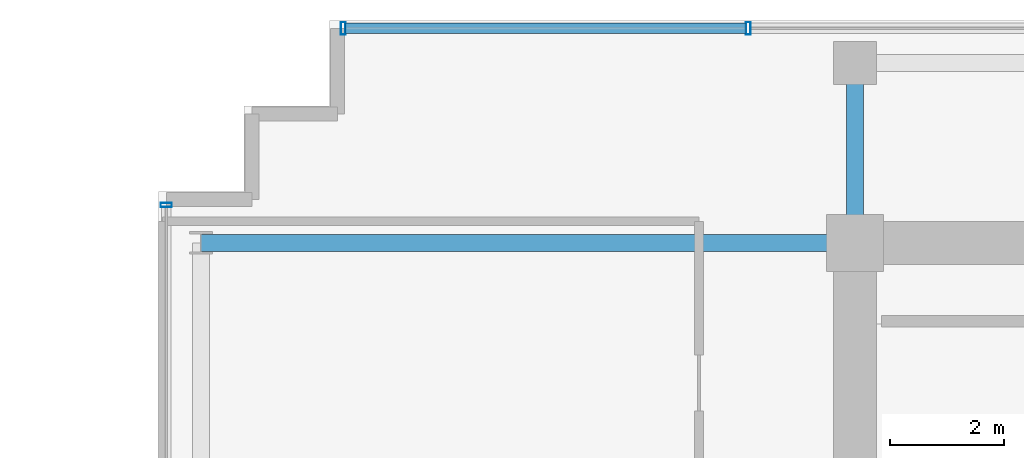
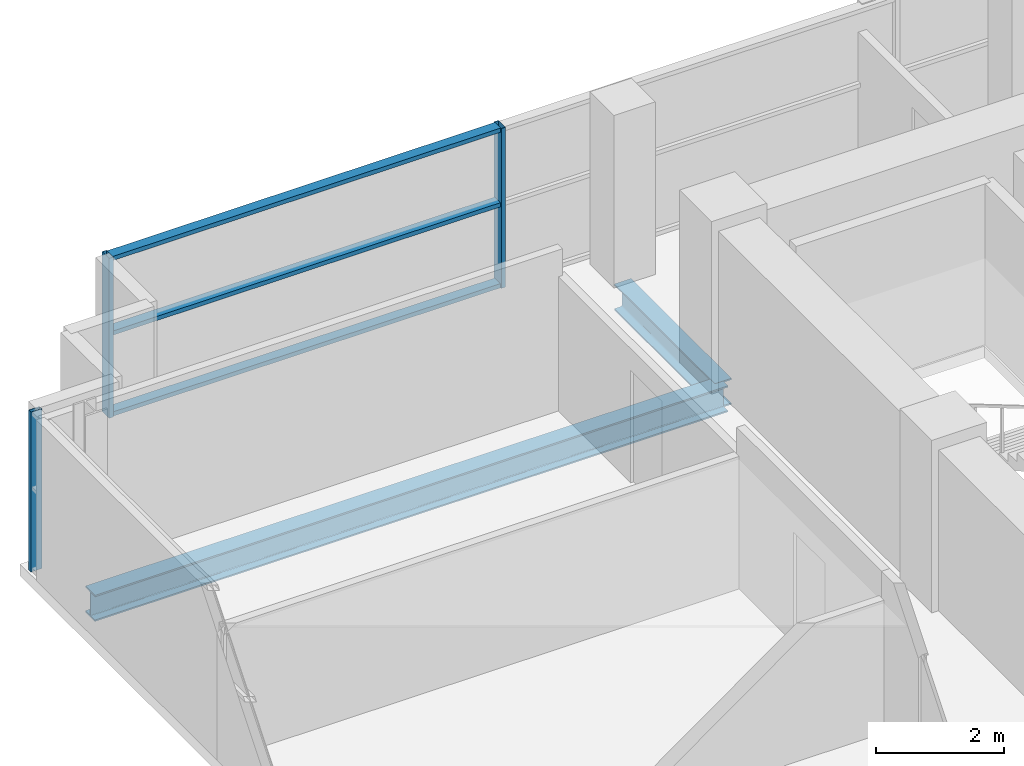
# One storey, part 9 of 21: 6 members, 2 beams, 2 elements without a shape of their own.
"""IFC4 building model written with IfcOpenShell, lengths in metres."""

from ifc_helpers import new_model, si_unit, direction, frame, origin, origin_2d, place, context, subcontext, project, spatial, hollow_rectangle, i_section, extrude, source, transform, mapped, material, layer, layer_set, material_profile, profile_set, type_object, element, aggregate, save


model = new_model("IFC4")

# Units and contexts
model_context = context("Model", 3, precision=1e-05, world=origin(), true_north=direction((0.0, 1.0)))
body_context = subcontext(model_context, "Body", "Model", "MODEL_VIEW")
ifc_project = project(units=[si_unit("LENGTHUNIT", "METRE"), si_unit("AREAUNIT", "SQUARE_METRE"), si_unit("VOLUMEUNIT", "CUBIC_METRE"), si_unit("PLANEANGLEUNIT", "RADIAN"), si_unit("MASSUNIT", "GRAM", prefix="KILO")], contexts=[model_context])

# Site, building, storey
site_placement = place(None, origin())
site = spatial("IfcSite", under=ifc_project, at=site_placement, CompositionType="ELEMENT")
building_placement = place(site_placement, origin())
building = spatial("IfcBuilding", under=site, at=building_placement, Name="Zarnakvel Exchange Tower", CompositionType="ELEMENT")
storey_placement = place(building_placement, frame((0.0, 0.0, 152.800048828125)))
storey = spatial("IfcBuildingStorey", under=building, at=storey_placement, Name="L42", CompositionType="ELEMENT", Elevation=152.800048828125)

# Beams
ifc_material_1 = material(Name="Steel S355", Category="steel")
ifc_material_profile_1 = material_profile(ifc_material_1, i_section(OverallWidth=0.300048828125, OverallDepth=0.5, WebThickness=0.014404296875, FlangeThickness=0.028076171875, FilletRadius=0.027099609375, at=origin_2d()))
ifc_profile_set_1 = profile_set([ifc_material_profile_1], Name="Steel S355")
beam_type = type_object("IfcBeamType", Name="G-06", PredefinedType="BEAM", material=ifc_profile_set_1)
beam_1_placement = place(storey_placement, frame((-25.85009765625, 13.5, -0.47509765625), z_axis=(1.0, 0.0, 0.0), x_axis=(0.0, 1.0, 0.0)))
element("IfcBeam", 1, at=beam_1_placement, inside=storey, type_object=beam_type, Name="L42 Tower E-W Frame Beam", PredefinedType="BEAM", context=body_context, shape_type="SweptSolid", body=[
    extrude(i_section(OverallWidth=0.300048828125, OverallDepth=0.5, WebThickness=0.014404296875, FlangeThickness=0.028076171875, FilletRadius=0.027099609375, at=origin_2d()), origin(), (0.0, 0.0, 1.0), 11.4501953125),
])
beam_2_placement = place(storey_placement, frame((-14.39990234375, 13.5, -0.47509765625), z_axis=(0.0, 1.0, 0.0), x_axis=(-1.0, 0.0, 0.0)))
element("IfcBeam", 2, at=beam_2_placement, inside=storey, type_object=beam_type, Name="L42 Tower N-S Frame Beam", PredefinedType="BEAM", context=body_context, shape_type="SweptSolid", body=[
    extrude(i_section(OverallWidth=0.300048828125, OverallDepth=0.5, WebThickness=0.014404296875, FlangeThickness=0.028076171875, FilletRadius=0.027099609375, at=origin_2d()), origin(), (0.0, 0.0, 1.0), 3.14990234375),
])

# Curtain wall, member
ifc_material_2 = material(Name="Architectural Bronze Anodised Aluminium", Category="aluminium")
ifc_layer_1 = layer(ifc_material_2, 0.199951171875)
ifc_layer_set_1 = layer_set([ifc_layer_1], Name="Architectural Bronze Anodised Aluminium")
curtain_wall_type_1 = type_object("IfcCurtainWallType", Name="CW-04", PredefinedType="NOTDEFINED", material=ifc_layer_set_1)
curtain_wall_1_placement = place(storey_placement, origin())
curtain_wall_1 = element("IfcCurtainWall", 3, at=curtain_wall_1_placement, inside=storey, type_object=curtain_wall_type_1, Name="L42 Curtain Wall CW-L42-WN (CW-04)", PredefinedType="NOTDEFINED")
ifc_material_profile_2 = material_profile(ifc_material_2, hollow_rectangle(XDim=0.199951171875, YDim=0.074951171875, WallThickness=0.0048828125, at=origin_2d()))
ifc_profile_set_2 = profile_set([ifc_material_profile_2], Name="Architectural Bronze Anodised Aluminium")
member_type_1 = type_object("IfcMemberType", Name="CWM-04", PredefinedType="MULLION", material=ifc_profile_set_2)
shared_shape_1 = source(origin(), body_context, "Body", "SweptSolid", [
    extrude(hollow_rectangle(XDim=0.199951171875, YDim=0.074951171875, WallThickness=0.0048828125, at=origin_2d()), origin(), (0.0, 0.0, 1.0), 3.054931640625),
])
member_1_placement = place(storey_placement, frame((-26.4599609375, 14.16259765625, 0.0), z_axis=(0.0, 0.0, 1.0), x_axis=(-1.0, 0.0, 0.0)))
member_1 = element("IfcMember", 4, at=member_1_placement, type_object=member_type_1, Name="CW-04 mullion 3", PredefinedType="MULLION", context=body_context, shape_type="MappedRepresentation", body=[
    mapped(shared_shape_1, transform((0.0, 0.0, 0.0), x_axis=(1.0, 0.0, 0.0), y_axis=(0.0, 1.0, 0.0), z_axis=(0.0, 0.0, 1.0), scale=1.0)),
])
aggregate(curtain_wall_1, [member_1])

# Curtain wall, members
ifc_layer_2 = layer(ifc_material_2, 0.219970703125)
ifc_layer_set_2 = layer_set([ifc_layer_2], Name="Architectural Bronze Anodised Aluminium")
curtain_wall_type_2 = type_object("IfcCurtainWallType", Name="CW-03", PredefinedType="NOTDEFINED", material=ifc_layer_set_2)
curtain_wall_2_placement = place(storey_placement, origin())
curtain_wall_2 = element("IfcCurtainWall", 5, at=curtain_wall_2_placement, inside=storey, type_object=curtain_wall_type_2, Name="L42 Curtain Wall CW-L42-N1 (CW-03)", PredefinedType="NOTDEFINED")
ifc_material_profile_3 = material_profile(ifc_material_2, hollow_rectangle(XDim=0.219970703125, YDim=0.080078125, WallThickness=0.0048828125, at=origin_2d()))
ifc_profile_set_3 = profile_set([ifc_material_profile_3], Name="Architectural Bronze Anodised Aluminium")
member_type_2 = type_object("IfcMemberType", Name="CWM-03", PredefinedType="MULLION", material=ifc_profile_set_3)
shared_shape_2 = source(origin(), body_context, "Body", "SweptSolid", [
    extrude(hollow_rectangle(XDim=0.219970703125, YDim=0.080078125, WallThickness=0.0048828125, at=origin_2d()), origin(), (0.0, 0.0, 1.0), 3.054931640625),
])
member_2_placement = place(storey_placement, frame((-23.360107421875, 17.260009765625, 0.0), z_axis=(0.0, 0.0, 1.0), x_axis=(0.0, 1.0, 0.0)))
member_2 = element("IfcMember", 6, at=member_2_placement, type_object=member_type_2, Name="CW-03 mullion 1", PredefinedType="MULLION", context=body_context, shape_type="MappedRepresentation", body=[
    mapped(shared_shape_2, transform((0.0, 0.0, 0.0), x_axis=(1.0, 0.0, 0.0), y_axis=(0.0, 1.0, 0.0), z_axis=(0.0, 0.0, 1.0), scale=1.0)),
])
member_3_placement = place(storey_placement, frame((-16.2666015625, 17.260009765625, 0.0), z_axis=(0.0, 0.0, 1.0), x_axis=(0.0, 1.0, 0.0)))
member_3 = element("IfcMember", 7, at=member_3_placement, type_object=member_type_2, Name="CW-03 mullion 2", PredefinedType="MULLION", context=body_context, shape_type="MappedRepresentation", body=[
    mapped(shared_shape_2, transform((0.0, 0.0, 0.0), x_axis=(1.0, 0.0, 0.0), y_axis=(0.0, 1.0, 0.0), z_axis=(0.0, 0.0, 1.0), scale=1.0)),
])
ifc_material_profile_4 = material_profile(ifc_material_2, hollow_rectangle(XDim=0.179931640625, YDim=0.080078125, WallThickness=0.00390625, at=origin_2d()))
ifc_profile_set_4 = profile_set([ifc_material_profile_4], Name="Architectural Bronze Anodised Aluminium")
member_type_3 = type_object("IfcMemberType", Name="CWT-03", PredefinedType="USERDEFINED", material=ifc_profile_set_4)
shared_shape_3 = source(origin(), body_context, "Body", "SweptSolid", [
    extrude(hollow_rectangle(XDim=0.179931640625, YDim=0.080078125, WallThickness=0.00390625, at=origin_2d()), origin(), (0.0, 0.0, 1.0), 7.013427734375),
])
member_4_placement = place(storey_placement, frame((-23.320068359375, 17.260009765625, 0.0400390625), z_axis=(1.0, 0.0, 0.0), x_axis=(0.0, 1.0, 0.0)))
member_4 = element("IfcMember", 8, at=member_4_placement, type_object=member_type_3, Name="CW-03 transom 1.1", ObjectType="TRANSOM", PredefinedType="USERDEFINED", context=body_context, shape_type="MappedRepresentation", body=[
    mapped(shared_shape_3, transform((0.0, 0.0, 0.0), x_axis=(1.0, 0.0, 0.0), y_axis=(0.0, 1.0, 0.0), z_axis=(0.0, 0.0, 1.0), scale=1.0)),
])
member_5_placement = place(storey_placement, frame((-23.320068359375, 17.260009765625, 1.588623046875), z_axis=(1.0, 0.0, 0.0), x_axis=(0.0, 1.0, 0.0)))
member_5 = element("IfcMember", 9, at=member_5_placement, type_object=member_type_3, Name="CW-03 transom 1.2", ObjectType="TRANSOM", PredefinedType="USERDEFINED", context=body_context, shape_type="MappedRepresentation", body=[
    mapped(shared_shape_3, transform((0.0, 0.0, 0.0), x_axis=(1.0, 0.0, 0.0), y_axis=(0.0, 1.0, 0.0), z_axis=(0.0, 0.0, 1.0), scale=1.0)),
])
member_6_placement = place(storey_placement, frame((-23.320068359375, 17.260009765625, 3.014892578125), z_axis=(1.0, 0.0, 0.0), x_axis=(0.0, 1.0, 0.0)))
member_6 = element("IfcMember", 10, at=member_6_placement, type_object=member_type_3, Name="CW-03 transom 1.3", ObjectType="TRANSOM", PredefinedType="USERDEFINED", context=body_context, shape_type="MappedRepresentation", body=[
    mapped(shared_shape_3, transform((0.0, 0.0, 0.0), x_axis=(1.0, 0.0, 0.0), y_axis=(0.0, 1.0, 0.0), z_axis=(0.0, 0.0, 1.0), scale=1.0)),
])
aggregate(curtain_wall_2, [member_2, member_3, member_4, member_5, member_6])

save(model, "model.ifc")
